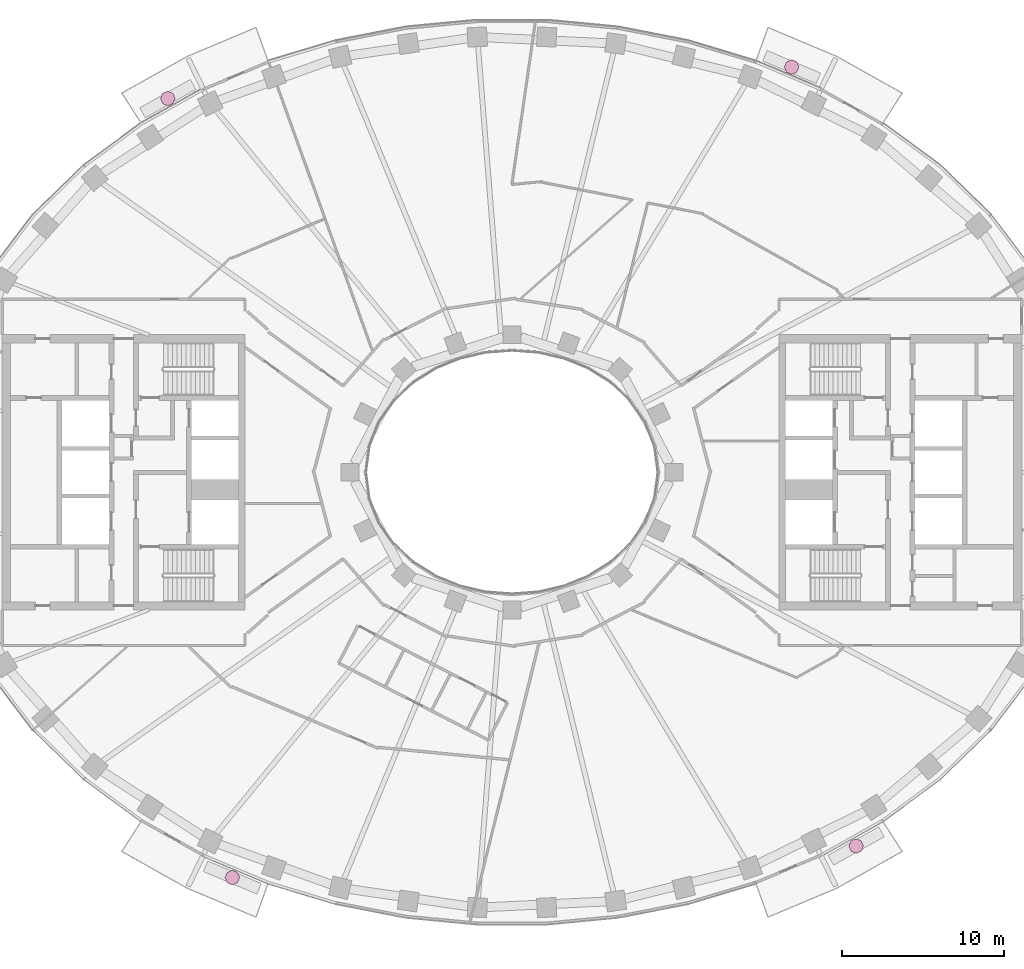
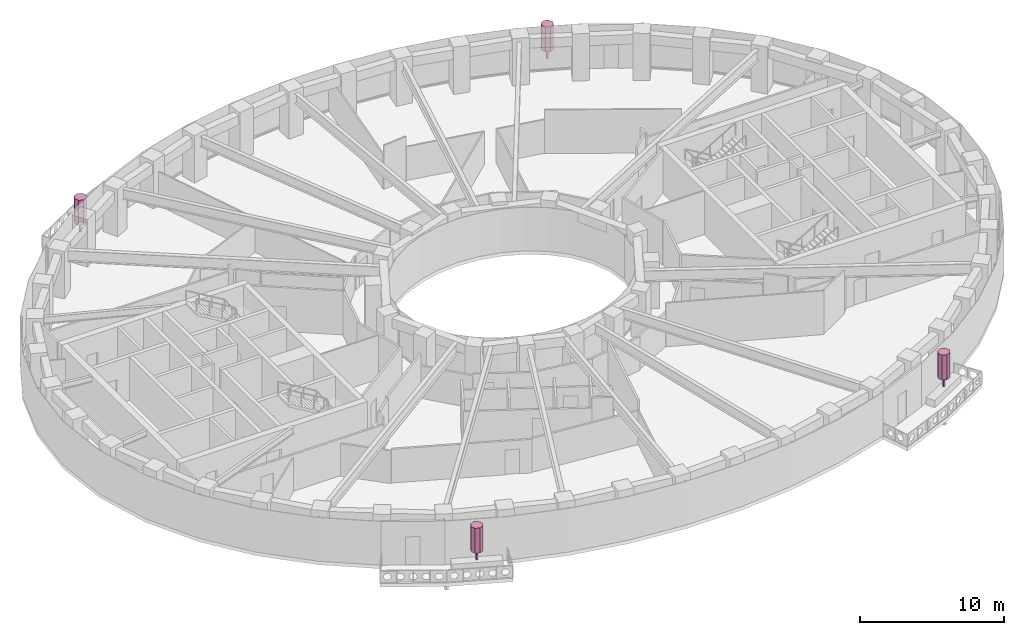
# One storey, part 15 of 15: 4 furnishings.
"""IFC4 building model written with IfcOpenShell, lengths in metres."""

from ifc_helpers import new_model, si_unit, direction, frame, origin, origin_2d, place, context, subcontext, project, spatial, polyline, rectangle, outline, extrude, material, type_object, element, save


model = new_model("IFC4")

# Units and contexts
model_context = context("Model", 3, precision=1e-05, world=origin(), true_north=direction((0.0, 1.0)))
body_context = subcontext(model_context, "Body", "Model", "MODEL_VIEW")
ifc_project = project(units=[si_unit("LENGTHUNIT", "METRE"), si_unit("AREAUNIT", "SQUARE_METRE"), si_unit("VOLUMEUNIT", "CUBIC_METRE"), si_unit("PLANEANGLEUNIT", "RADIAN"), si_unit("MASSUNIT", "GRAM", prefix="KILO")], contexts=[model_context])

# Site, building, storey
site_placement = place(None, origin())
site = spatial("IfcSite", under=ifc_project, at=site_placement, CompositionType="ELEMENT")
building_placement = place(site_placement, origin())
building = spatial("IfcBuilding", under=site, at=building_placement, Name="Noorbagh Ring Tower", CompositionType="ELEMENT")
storey_placement = place(building_placement, frame((0.0, 0.0, 170.0)))
storey = spatial("IfcBuildingStorey", under=building, at=storey_placement, Name="L39", CompositionType="ELEMENT", Elevation=170.0)

# Furnishings
ifc_material = material(Name="Planting foliage green")
furnishing_element_type = type_object("IfcFurnishingElementType", Name="ENV-TREE", material=ifc_material)
for number, where, z_axis, x_axis, name in (
    (1, (17.280517578125, 25.041259765625, 0.60009765625), (0.0, 0.0, 1.0), (1.0, 0.0, 0.0), "Tree BN02"),
    (2, (-21.26513671875, 23.093017578125, 0.60009765625), (0.0, 0.0, 1.0), (1.0, 0.0, 0.0), "Tree BN05"),
    (3, (-17.280517578125, -25.041259765625, 0.60009765625), (0.0, 0.0, 1.0), (1.0, 0.0, 0.0), "Tree BS02"),
    (4, (21.26513671875, -23.093017578125, 0.60009765625), (0.0, 0.0, 1.0), (1.0, 0.0, 0.0), "Tree BS05"),
):
    element("IfcFurnishingElement", number, at=place(storey_placement, frame(where, z_axis=z_axis, x_axis=x_axis)), inside=storey, type_object=furnishing_element_type, Name=name, context=body_context, shape_type="SweptSolid", body=[
        extrude(rectangle(XDim=0.1201171875, YDim=0.1201171875, at=origin_2d()), origin(), (0.0, 0.0, 1.0), 0.825927734375),
        extrude(outline(polyline([(0.449951171875, 0.0), (0.318115234375, 0.318115234375), (0.0, 0.449951171875), (-0.318115234375, 0.318115234375), (-0.449951171875, 0.0), (-0.318115234375, -0.318115234375), (0.0, -0.449951171875), (0.318115234375, -0.318115234375), (0.449951171875, 0.0)])), frame((0.0, 0.0, 0.825927734375)), (0.0, 0.0, 1.0), 2.1240234375),
    ])

save(model, "model.ifc")
